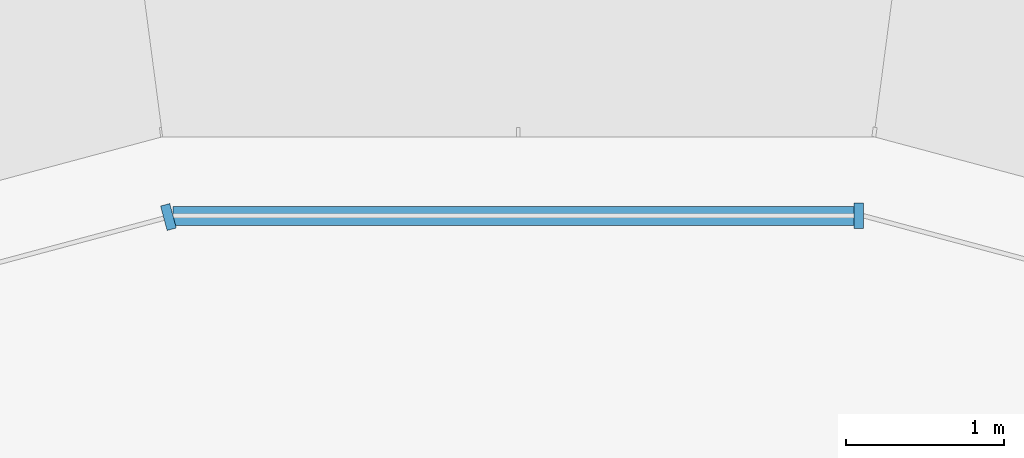
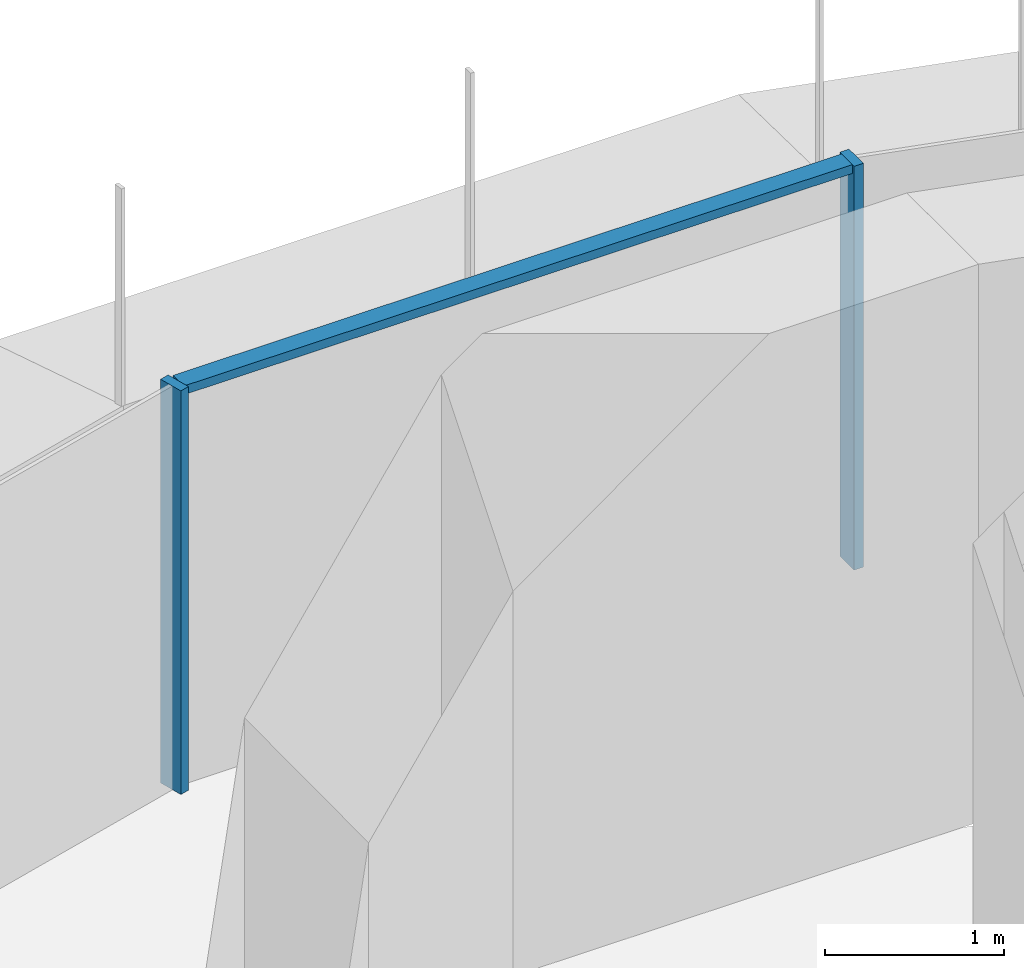
# One storey, part 11 of 22: 3 members, 2 elements without a shape of their own.
"""IFC4 building model written with IfcOpenShell, lengths in metres."""

from ifc_helpers import new_model, si_unit, direction, frame, origin, place, context, subcontext, project, spatial, polyline, outline, extrude, source, transform, mapped, material, type_object, element, aggregate, save


model = new_model("IFC4")

# Units and contexts
model_context = context("Model", 3, precision=1e-05, world=origin(), true_north=direction((0.0, 1.0)))
body_context = subcontext(model_context, "Body", "Model", "MODEL_VIEW")
ifc_project = project(units=[si_unit("LENGTHUNIT", "METRE"), si_unit("AREAUNIT", "SQUARE_METRE"), si_unit("VOLUMEUNIT", "CUBIC_METRE"), si_unit("PLANEANGLEUNIT", "RADIAN"), si_unit("MASSUNIT", "GRAM", prefix="KILO")], contexts=[model_context])

# Site, building, storey
site_placement = place(None, origin())
site = spatial("IfcSite", under=ifc_project, at=site_placement, CompositionType="ELEMENT")
building_placement = place(site_placement, origin())
building = spatial("IfcBuilding", under=site, at=building_placement, Name="Zarbagh Exchange Tower", CompositionType="ELEMENT")
storey_placement = place(building_placement, frame((0.0, 0.0, 113.199951171875)))
storey = spatial("IfcBuildingStorey", under=building, at=storey_placement, Name="L26", CompositionType="ELEMENT", Elevation=113.199951171875)

# Curtain wall, member
ifc_material_1 = material(Name="Anodised aluminium frame and glazing", Category="aluminium")
curtain_wall_type = type_object("IfcCurtainWallType", Name="CWA Ribbon glazing, lower zones", PredefinedType="NOTDEFINED", material=ifc_material_1)
curtain_wall_1_placement = place(storey_placement, origin())
curtain_wall_1 = element("IfcCurtainWall", 1, at=curtain_wall_1_placement, inside=storey, type_object=curtain_wall_type, Name="CWA57 curtain wall", PredefinedType="NOTDEFINED")
ifc_material_2 = material(Name="Anodised aluminium frame", Category="aluminium")
member_type_1 = type_object("IfcMemberType", Name="MUA Mullion, anodised aluminium frame", PredefinedType="MULLION", material=ifc_material_2)
shared_shape_1 = source(origin(), body_context, "Body", "SweptSolid", [
    extrude(outline(polyline([(0.0, -0.080078125), (0.06005859375, -0.080078125), (0.06005859375, 0.080078125), (0.0, 0.080078125), (0.0, -0.080078125)])), origin(), (0.0, 0.0, 1.0), 2.75),
])
placement = place(storey_placement, origin())
member_1 = element("IfcMember", 2, at=placement, type_object=member_type_1, Name="CWA57 mullion 1.1", PredefinedType="MULLION", context=body_context, shape_type="MappedRepresentation", body=[
    mapped(shared_shape_1, transform((2.18408203125, 31.0, 0.0), x_axis=(-1.0, 0.0, 0.0), y_axis=(0.0, -1.0, 0.0), z_axis=(0.0, 0.0, 1.0))),
])

curtain_wall_2_placement = place(storey_placement, origin())
curtain_wall_2 = element("IfcCurtainWall", 3, at=curtain_wall_2_placement, inside=storey, type_object=curtain_wall_type, Name="CWA53 curtain wall", PredefinedType="NOTDEFINED")
member_2 = element("IfcMember", 4, at=placement, type_object=member_type_1, Name="CWA53 mullion 1.1", PredefinedType="MULLION", context=body_context, shape_type="MappedRepresentation", body=[
    mapped(shared_shape_1, transform((-2.18408203125, 31.0, 0.0), x_axis=(-0.965924289636, -0.258824779902, 0.0), y_axis=(0.258824779902, -0.965924289636, 0.0), z_axis=(0.0, 0.0, 1.0))),
])
aggregate(curtain_wall_2, [member_2])

# Member
member_type_2 = type_object("IfcMemberType", Name="TRA Transom, anodised aluminium frame", PredefinedType="USERDEFINED", material=ifc_material_2)
shared_shape_2 = source(origin(), body_context, "Body", "SweptSolid", [
    extrude(outline(polyline([(-0.06005859375, -0.06005859375), (0.0, -0.06005859375), (0.0, 0.06005859375), (-0.06005859375, 0.06005859375), (-0.06005859375, -0.06005859375)])), origin(), (0.0, 0.0, 1.0), 4.308349609375),
])
member_3 = element("IfcMember", 5, at=placement, type_object=member_type_2, Name="CWA57 transom 1.1", ObjectType="TRANSOM", PredefinedType="USERDEFINED", context=body_context, shape_type="MappedRepresentation", body=[
    mapped(shared_shape_2, transform((2.124267578125, 31.0, 2.75), x_axis=(0.0, 0.0, 1.0), y_axis=(0.0, 1.0, 0.0), z_axis=(-1.0, 0.0, 0.0))),
])

aggregate(curtain_wall_1, [member_1, member_3])

save(model, "model.ifc")
